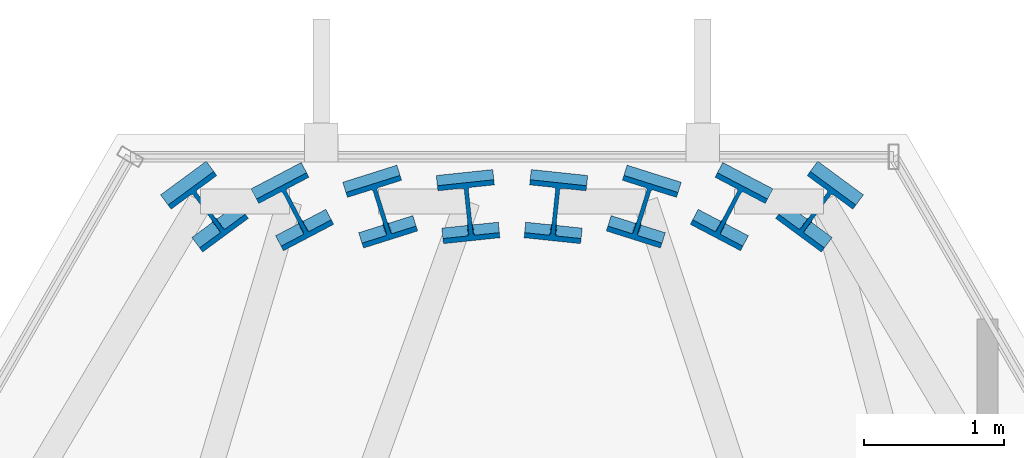
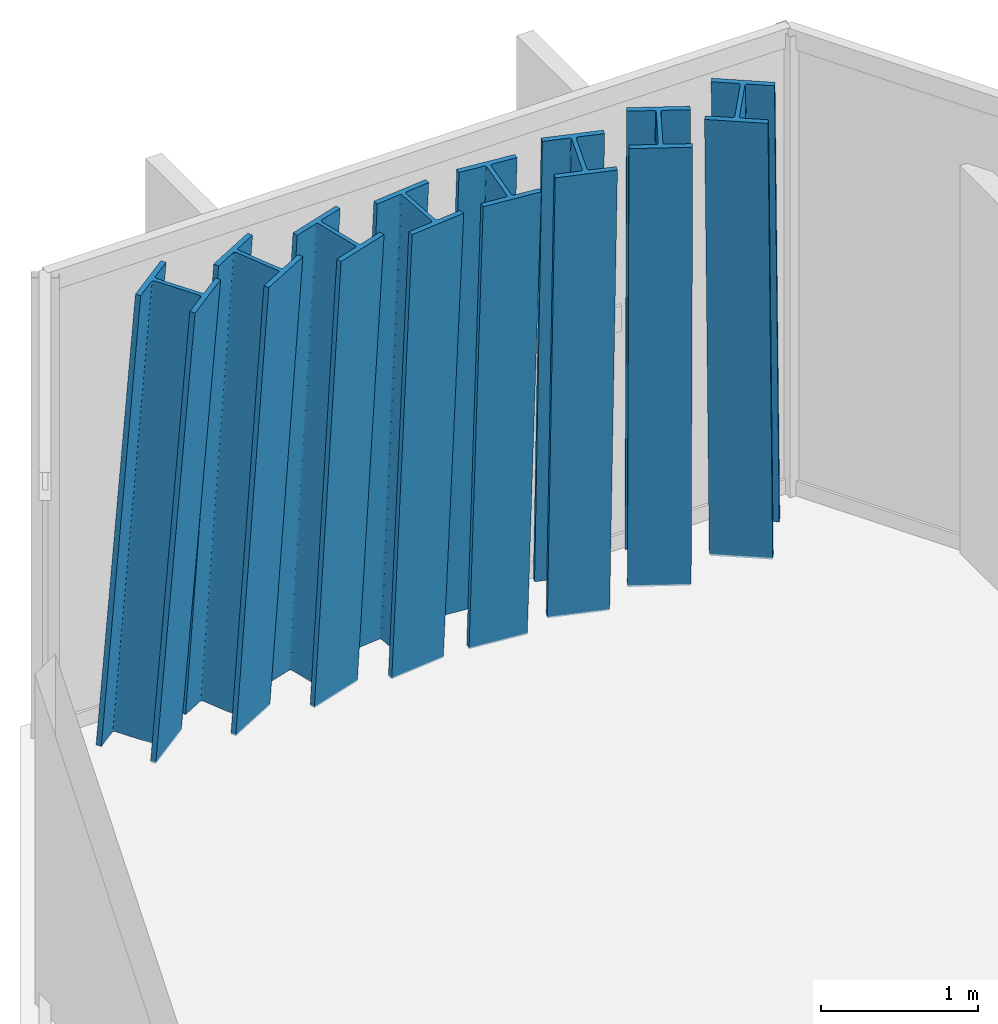
# One storey, part 2 of 34: 8 columns.
"""IFC4 building model written with IfcOpenShell, lengths in metres."""

from ifc_helpers import new_model, si_unit, direction, frame, origin, origin_2d, place, context, subcontext, project, spatial, i_section, extrude, material, material_profile, profile_set, type_object, element, save


model = new_model("IFC4")

# Units and contexts
model_context = context("Model", 3, precision=1e-05, world=origin(), true_north=direction((0.0, 1.0)))
body_context = subcontext(model_context, "Body", "Model", "MODEL_VIEW")
ifc_project = project(units=[si_unit("LENGTHUNIT", "METRE"), si_unit("AREAUNIT", "SQUARE_METRE"), si_unit("VOLUMEUNIT", "CUBIC_METRE"), si_unit("PLANEANGLEUNIT", "RADIAN"), si_unit("MASSUNIT", "GRAM", prefix="KILO")], contexts=[model_context])

# Site, building, storey
site_placement = place(None, origin())
site = spatial("IfcSite", under=ifc_project, at=site_placement, CompositionType="ELEMENT")
building_placement = place(site_placement, origin())
building = spatial("IfcBuilding", under=site, at=building_placement, Name="Ndaravel Arena Tower", CompositionType="ELEMENT")
storey_placement = place(building_placement, frame((0.0, 0.0, 267.39990234375)))
storey = spatial("IfcBuildingStorey", under=building, at=storey_placement, Name="L65", CompositionType="ELEMENT", Elevation=267.39990234375)

# Columns
ifc_material = material(Name="Steel S355", Category="steel")
ifc_material_profile = material_profile(ifc_material, i_section(OverallWidth=0.406005859375, OverallDepth=0.416015625, WebThickness=0.02978515625, FlangeThickness=0.03662109375, FilletRadius=0.014892578125, at=origin_2d()), Name="HD 400x382")
ifc_profile_set = profile_set([ifc_material_profile], Name="Steel S355")
column_type = type_object("IfcColumnType", Name="COL-TUBE-HD382", PredefinedType="COLUMN", material=ifc_profile_set)
column_1_placement = place(storey_placement, frame((44.227294921875, 44.038330078125, 0.0), z_axis=(-0.045149450954, -0.06133253729, 0.997095706012), x_axis=(0.805325043487, -0.592833513166, 0.0)))
element("IfcColumn", 1, at=column_1_placement, inside=storey, type_object=column_type, Name="L65 Framed Tube Column TC-11", PredefinedType="COLUMN", context=body_context, shape_type="SweptSolid", body=[
    extrude(i_section(OverallWidth=0.406005859375, OverallDepth=0.416015625, WebThickness=0.02978515625, FlangeThickness=0.03662109375, FilletRadius=0.014892578125, at=origin_2d()), origin(), (0.0, 0.0, 1.0), 3.590576171875),
])
column_2_placement = place(storey_placement, frame((43.5908203125, 44.038330078125, 0.0), z_axis=(-0.032246302507, -0.061363217008, 0.997594472505), x_axis=(0.885216077983, -0.465180067587, 0.0)))
element("IfcColumn", 2, at=column_2_placement, inside=storey, type_object=column_type, Name="L65 Framed Tube Column TC-12", PredefinedType="COLUMN", context=body_context, shape_type="SweptSolid", body=[
    extrude(i_section(OverallWidth=0.406005859375, OverallDepth=0.416015625, WebThickness=0.02978515625, FlangeThickness=0.03662109375, FilletRadius=0.014892578125, at=origin_2d()), origin(), (0.0, 0.0, 1.0), 3.588623046875),
])
column_3_placement = place(storey_placement, frame((42.95458984375, 44.038330078125, 0.0), z_axis=(-0.019395038921, -0.061383596867, 0.997925792081), x_axis=(0.953534722553, -0.301283144044, 0.0)))
element("IfcColumn", 3, at=column_3_placement, inside=storey, type_object=column_type, Name="L65 Framed Tube Column TC-13", PredefinedType="COLUMN", context=body_context, shape_type="SweptSolid", body=[
    extrude(i_section(OverallWidth=0.406005859375, OverallDepth=0.416015625, WebThickness=0.02978515625, FlangeThickness=0.03662109375, FilletRadius=0.014892578125, at=origin_2d()), origin(), (0.0, 0.0, 1.0), 3.58740234375),
])
for number, where, z_axis, x_axis, name in (
    (4, (42.318115234375, 44.038330078125, 0.0), (-0.006466094102, -0.061393861893, 0.998092672726), (0.9944994099, -0.104742177318, 0.0), "L65 Framed Tube Column TC-14"),
    (5, (41.681884765625, 44.038330078125, 0.0), (0.006466094102, -0.061393861893, 0.998092672726), (0.9944994099, 0.104742177318, 0.0), "L65 Framed Tube Column TC-15"),
):
    element("IfcColumn", number, at=place(storey_placement, frame(where, z_axis=z_axis, x_axis=x_axis)), inside=storey, type_object=column_type, Name=name, PredefinedType="COLUMN", context=body_context, shape_type="SweptSolid", body=[
        extrude(i_section(OverallWidth=0.406005859375, OverallDepth=0.416015625, WebThickness=0.02978515625, FlangeThickness=0.03662109375, FilletRadius=0.014892578125, at=origin_2d()), origin(), (0.0, 0.0, 1.0), 3.5869140625),
    ])
column_4_placement = place(storey_placement, frame((41.04541015625, 44.038330078125, 0.0), z_axis=(0.019395038921, -0.061383596867, 0.997925792081), x_axis=(0.953534722553, 0.301283144044, 0.0)))
element("IfcColumn", 6, at=column_4_placement, inside=storey, type_object=column_type, Name="L65 Framed Tube Column TC-16", PredefinedType="COLUMN", context=body_context, shape_type="SweptSolid", body=[
    extrude(i_section(OverallWidth=0.406005859375, OverallDepth=0.416015625, WebThickness=0.02978515625, FlangeThickness=0.03662109375, FilletRadius=0.014892578125, at=origin_2d()), origin(), (0.0, 0.0, 1.0), 3.58740234375),
])
column_5_placement = place(storey_placement, frame((40.4091796875, 44.038330078125, 0.0), z_axis=(0.032246302507, -0.061363217008, 0.997594472505), x_axis=(0.885216077983, 0.465180067587, 0.0)))
element("IfcColumn", 7, at=column_5_placement, inside=storey, type_object=column_type, Name="L65 Framed Tube Column TC-17", PredefinedType="COLUMN", context=body_context, shape_type="SweptSolid", body=[
    extrude(i_section(OverallWidth=0.406005859375, OverallDepth=0.416015625, WebThickness=0.02978515625, FlangeThickness=0.03662109375, FilletRadius=0.014892578125, at=origin_2d()), origin(), (0.0, 0.0, 1.0), 3.588623046875),
])
column_6_placement = place(storey_placement, frame((39.772705078125, 44.038330078125, 0.0), z_axis=(0.045149450954, -0.06133253729, 0.997095706012), x_axis=(0.805325043487, 0.592833513166, 0.0)))
element("IfcColumn", 8, at=column_6_placement, inside=storey, type_object=column_type, Name="L65 Framed Tube Column TC-18", PredefinedType="COLUMN", context=body_context, shape_type="SweptSolid", body=[
    extrude(i_section(OverallWidth=0.406005859375, OverallDepth=0.416015625, WebThickness=0.02978515625, FlangeThickness=0.03662109375, FilletRadius=0.014892578125, at=origin_2d()), origin(), (0.0, 0.0, 1.0), 3.590576171875),
])

save(model, "model.ifc")
